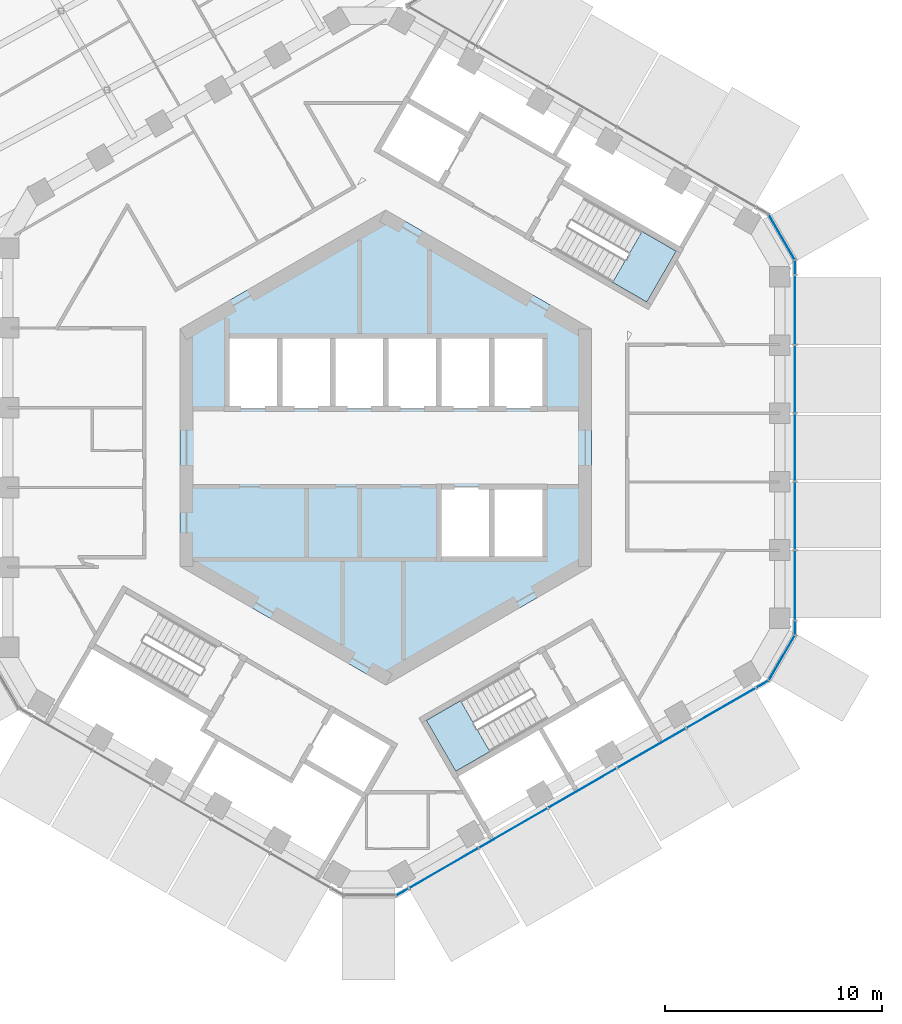
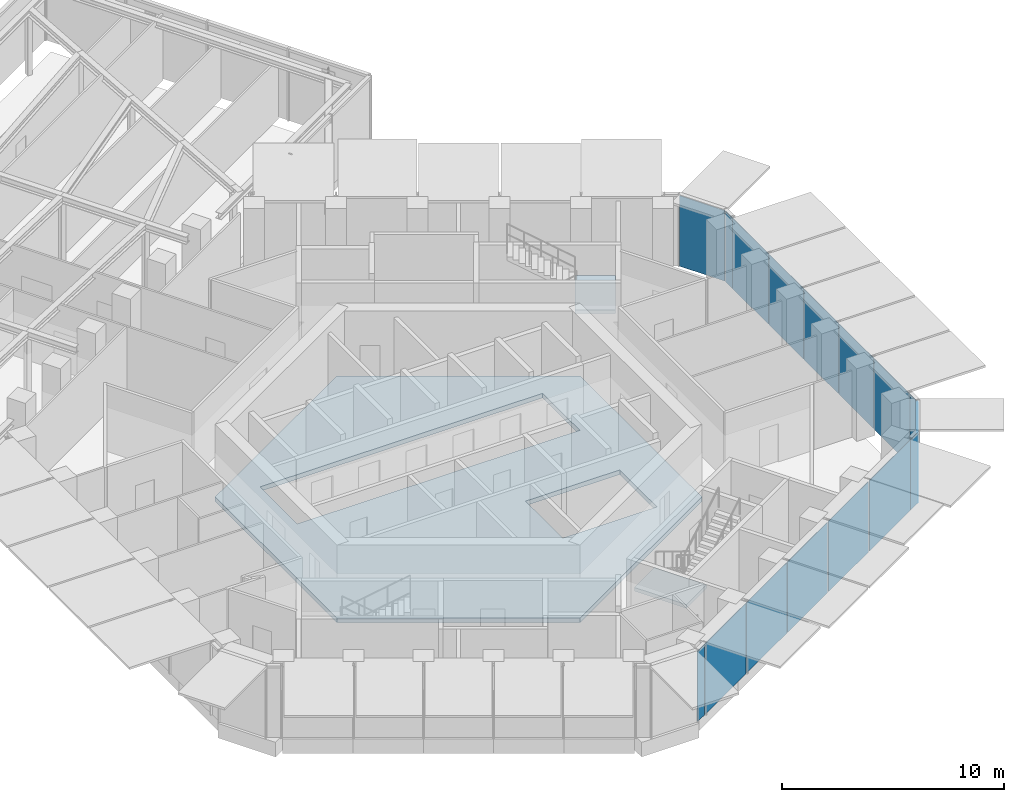
# One storey, part 15 of 27: 16 plates, 3 slabs, 7 elements without a shape of their own.
"""IFC4 building model written with IfcOpenShell, lengths in metres."""

from ifc_helpers import new_model, si_unit, direction, frame, origin, origin_2d, place, context, subcontext, project, spatial, polyline, rectangle, outline, extrude, material, layer, layer_set, type_object, element, aggregate, save


model = new_model("IFC4")

# Units and contexts
model_context = context("Model", 3, precision=1e-05, world=origin(), true_north=direction((0.0, 1.0)))
body_context = subcontext(model_context, "Body", "Model", "MODEL_VIEW")
ifc_project = project(units=[si_unit("LENGTHUNIT", "METRE"), si_unit("AREAUNIT", "SQUARE_METRE"), si_unit("VOLUMEUNIT", "CUBIC_METRE"), si_unit("PLANEANGLEUNIT", "RADIAN"), si_unit("MASSUNIT", "GRAM", prefix="KILO")], contexts=[model_context])

# Site, building, storey
site_placement = place(None, origin())
site = spatial("IfcSite", under=ifc_project, at=site_placement, CompositionType="ELEMENT")
building_placement = place(site_placement, origin())
building = spatial("IfcBuilding", under=site, at=building_placement, Name="Ayvan Gate Tower", CompositionType="ELEMENT")
storey_placement = place(building_placement, frame((0.0, 0.0, 194.699951171875)))
storey = spatial("IfcBuildingStorey", under=building, at=storey_placement, Name="L52", CompositionType="ELEMENT", Elevation=194.699951171875)

# Slab
ifc_material_1 = material(Name="Concrete C40/50", Category="concrete")
ifc_layer_1 = layer(ifc_material_1, 0.25)
ifc_layer_set_1 = layer_set([ifc_layer_1], Name="Concrete C40/50")
slab_type_1 = type_object("IfcSlabType", Name="SL-CORE-250", PredefinedType="FLOOR", material=ifc_layer_set_1)
slab_1_placement = place(storey_placement, frame((0.0, 0.0, -0.25)))
element("IfcSlab", 1, at=slab_1_placement, inside=storey, type_object=slab_type_1, Name="CS-L52", PredefinedType="FLOOR", context=body_context, shape_type="SweptSolid", body=[
    extrude(outline(polyline([(9.5, -5.48486328125), (0.0, -10.9697265625), (-9.5, -5.48486328125), (-9.5, 5.48486328125), (0.0, 10.9697265625), (9.5, 5.48486328125), (9.5, -5.48486328125)]), holes=[polyline([(-7.35009765625, 5.14990234375), (-7.35009765625, 1.800048828125), (7.35009765625, 1.800048828125), (7.35009765625, 5.14990234375), (-7.35009765625, 5.14990234375)]), polyline([(2.449951171875, -1.800048828125), (2.449951171875, -5.14990234375), (7.35009765625, -5.14990234375), (7.35009765625, -1.800048828125), (2.449951171875, -1.800048828125)])]), origin(), (0.0, 0.0, 1.0), 0.25),
])

# Stair, slab
stair_type = type_object("IfcStairType", Name="ST-EXIT", PredefinedType="HALF_TURN_STAIR", material=ifc_material_1)
stair_1_placement = place(storey_placement, origin())
stair_1 = element("IfcStair", 2, at=stair_1_placement, inside=storey, type_object=stair_type, Name="L52 Exit Stair S1", PredefinedType="HALF_TURN_STAIR")
ifc_layer_2 = layer(ifc_material_1, 0.199951171875)
ifc_layer_set_2 = layer_set([ifc_layer_2], Name="Concrete C40/50")
slab_type_2 = type_object("IfcSlabType", Name="SL-LANDING-200", PredefinedType="LANDING", material=ifc_layer_set_2)
slab_2_placement = place(storey_placement, frame((0.0, 0.0, 1.800048828125)))
slab_2 = element("IfcSlab", 3, at=slab_2_placement, type_object=slab_type_2, Name="STS1 landing 1", PredefinedType="LANDING", context=body_context, shape_type="SweptSolid", body=[
    extrude(outline(polyline([(10.473388671875, 7.630615234375), (12.049560546875, 6.720458984375), (13.404541015625, 9.0673828125), (11.828369140625, 9.9775390625), (10.473388671875, 7.630615234375)])), origin(), (0.0, 0.0, 1.0), 0.199951171875),
])
aggregate(stair_1, [slab_2])

stair_2_placement = place(storey_placement, origin())
stair_2 = element("IfcStair", 4, at=stair_2_placement, inside=storey, type_object=stair_type, Name="L52 Exit Stair S3", PredefinedType="HALF_TURN_STAIR")
slab_3_placement = place(storey_placement, frame((0.0, 0.0, 1.800048828125)))
slab_3 = element("IfcSlab", 5, at=slab_3_placement, type_object=slab_type_2, Name="STS3 landing 1", PredefinedType="LANDING", context=body_context, shape_type="SweptSolid", body=[
    extrude(outline(polyline([(3.449951171875, -11.685546875), (1.873779296875, -12.595458984375), (3.228759765625, -14.9423828125), (4.804931640625, -14.032470703125), (3.449951171875, -11.685546875)])), origin(), (0.0, 0.0, 1.0), 0.199951171875),
])
aggregate(stair_2, [slab_3])

# Curtain wall, plates
ifc_material_2 = material(Name="Bronze anodised aluminium", Category="aluminium")
ifc_layer_3 = layer(ifc_material_2, 0.199951171875)
ifc_layer_set_3 = layer_set([ifc_layer_3], Name="Bronze anodised aluminium")
curtain_wall_type_1 = type_object("IfcCurtainWallType", Name="Stick curtain wall CW-2", PredefinedType="NOTDEFINED", material=ifc_layer_set_3)
curtain_wall_1_placement = place(storey_placement, origin())
curtain_wall_1 = element("IfcCurtainWall", 6, at=curtain_wall_1_placement, inside=storey, type_object=curtain_wall_type_1, Name="Stick curtain wall CW-2 L52", PredefinedType="NOTDEFINED")
ifc_material_3 = material(Name="Clear low-iron laminated glass", Category="glass")
ifc_layer_4 = layer(ifc_material_3, 0.028076171875)
ifc_layer_set_4 = layer_set([ifc_layer_4], Name="Clear low-iron laminated glass")
plate_type_1 = type_object("IfcPlateType", Name="Stick curtain wall CW-2 glass panel", PredefinedType="CURTAIN_PANEL", material=ifc_layer_set_4)
plate_1_placement = place(storey_placement, frame((2.663818359375, -19.423828125, 0.0), z_axis=(0.0, 0.0, 1.0), x_axis=(0.866025403784, 0.5, 0.0)))
plate_1 = element("IfcPlate", 7, at=plate_1_placement, type_object=plate_type_1, Name="CW-2 glass panel 1", PredefinedType="CURTAIN_PANEL", context=body_context, shape_type="SweptSolid", body=[
    extrude(rectangle(XDim=3.68701171875, YDim=0.028076171875, at=origin_2d()), origin(), (0.0, 0.0, 1.0), 3.8798828125),
])
plate_2_placement = place(storey_placement, frame((5.885986328125, -17.5634765625, 0.0), z_axis=(0.0, 0.0, 1.0), x_axis=(0.866025403784, 0.5, 0.0)))
plate_2 = element("IfcPlate", 8, at=plate_2_placement, type_object=plate_type_1, Name="CW-2 glass panel 2", PredefinedType="CURTAIN_PANEL", context=body_context, shape_type="SweptSolid", body=[
    extrude(rectangle(XDim=3.614013671875, YDim=0.028076171875, at=origin_2d()), origin(), (0.0, 0.0, 1.0), 3.8798828125),
])
plate_3_placement = place(storey_placement, frame((9.076904296875, -15.72119140625, 0.0), z_axis=(0.0, 0.0, 1.0), x_axis=(0.866025403784, 0.5, 0.0)))
plate_3 = element("IfcPlate", 9, at=plate_3_placement, type_object=plate_type_1, Name="CW-2 glass panel 3", PredefinedType="CURTAIN_PANEL", context=body_context, shape_type="SweptSolid", body=[
    extrude(rectangle(XDim=3.614990234375, YDim=0.028076171875, at=origin_2d()), origin(), (0.0, 0.0, 1.0), 3.8798828125),
])
plate_4_placement = place(storey_placement, frame((12.267578125, -13.87890625, 0.0), z_axis=(0.0, 0.0, 1.0), x_axis=(0.866025403784, 0.5, 0.0)))
plate_4 = element("IfcPlate", 10, at=plate_4_placement, type_object=plate_type_1, Name="CW-2 glass panel 4", PredefinedType="CURTAIN_PANEL", context=body_context, shape_type="SweptSolid", body=[
    extrude(rectangle(XDim=3.614013671875, YDim=0.028076171875, at=origin_2d()), origin(), (0.0, 0.0, 1.0), 3.8798828125),
])
plate_5_placement = place(storey_placement, frame((15.48974609375, -12.018798828125, 0.0), z_axis=(0.0, 0.0, 1.0), x_axis=(0.866025403784, 0.5, 0.0)))
plate_5 = element("IfcPlate", 11, at=plate_5_placement, type_object=plate_type_1, Name="CW-2 glass panel 5", PredefinedType="CURTAIN_PANEL", context=body_context, shape_type="SweptSolid", body=[
    extrude(rectangle(XDim=3.686767578125, YDim=0.028076171875, at=origin_2d()), origin(), (0.0, 0.0, 1.0), 3.8798828125),
])
aggregate(curtain_wall_1, [plate_1, plate_2, plate_3, plate_4, plate_5])

curtain_wall_2_placement = place(storey_placement, origin())
curtain_wall_2 = element("IfcCurtainWall", 12, at=curtain_wall_2_placement, inside=storey, type_object=curtain_wall_type_1, Name="Stick curtain wall CW-2 L52", PredefinedType="NOTDEFINED")
plate_6_placement = place(storey_placement, frame((18.886474609375, -6.37109375, 0.0), z_axis=(0.0, 0.0, 1.0), x_axis=(0.0, 1.0, 0.0)))
plate_6 = element("IfcPlate", 13, at=plate_6_placement, type_object=plate_type_1, Name="CW-2 glass panel 1", PredefinedType="CURTAIN_PANEL", context=body_context, shape_type="SweptSolid", body=[
    extrude(rectangle(XDim=3.215087890625, YDim=0.028076171875, at=origin_2d()), origin(), (0.0, 0.0, 1.0), 3.8798828125),
])
plate_7_placement = place(storey_placement, frame((18.886474609375, -3.152587890625, 0.0), z_axis=(0.0, 0.0, 1.0), x_axis=(0.0, 1.0, 0.0)))
plate_7 = element("IfcPlate", 14, at=plate_7_placement, type_object=plate_type_1, Name="CW-2 glass panel 2", PredefinedType="CURTAIN_PANEL", context=body_context, shape_type="SweptSolid", body=[
    extrude(rectangle(XDim=3.08203125, YDim=0.028076171875, at=origin_2d()), origin(), (0.0, 0.0, 1.0), 3.8798828125),
])
plate_8_placement = place(storey_placement, frame((18.886474609375, 0.0, 0.0), z_axis=(0.0, 0.0, 1.0), x_axis=(0.0, 1.0, 0.0)))
plate_8 = element("IfcPlate", 15, at=plate_8_placement, type_object=plate_type_1, Name="CW-2 glass panel 3", PredefinedType="CURTAIN_PANEL", context=body_context, shape_type="SweptSolid", body=[
    extrude(rectangle(XDim=3.0830078125, YDim=0.028076171875, at=origin_2d()), origin(), (0.0, 0.0, 1.0), 3.8798828125),
])
plate_9_placement = place(storey_placement, frame((18.886474609375, 3.15234375, 0.0), z_axis=(0.0, 0.0, 1.0), x_axis=(0.0, 1.0, 0.0)))
plate_9 = element("IfcPlate", 16, at=plate_9_placement, type_object=plate_type_1, Name="CW-2 glass panel 4", PredefinedType="CURTAIN_PANEL", context=body_context, shape_type="SweptSolid", body=[
    extrude(rectangle(XDim=3.08203125, YDim=0.028076171875, at=origin_2d()), origin(), (0.0, 0.0, 1.0), 3.8798828125),
])
plate_10_placement = place(storey_placement, frame((18.886474609375, 6.37109375, 0.0), z_axis=(0.0, 0.0, 1.0), x_axis=(0.0, 1.0, 0.0)))
plate_10 = element("IfcPlate", 17, at=plate_10_placement, type_object=plate_type_1, Name="CW-2 glass panel 5", PredefinedType="CURTAIN_PANEL", context=body_context, shape_type="SweptSolid", body=[
    extrude(rectangle(XDim=3.215087890625, YDim=0.028076171875, at=origin_2d()), origin(), (0.0, 0.0, 1.0), 3.8798828125),
])
aggregate(curtain_wall_2, [plate_6, plate_7, plate_8, plate_9, plate_10])

# Curtain wall, plate
ifc_layer_5 = layer(ifc_material_2, 0.199951171875)
ifc_layer_set_5 = layer_set([ifc_layer_5], Name="Bronze anodised aluminium")
curtain_wall_type_2 = type_object("IfcCurtainWallType", Name="Stick curtain wall CW-6", PredefinedType="NOTDEFINED", material=ifc_layer_set_5)
curtain_wall_3_placement = place(storey_placement, origin())
curtain_wall_3 = element("IfcCurtainWall", 18, at=curtain_wall_3_placement, inside=storey, type_object=curtain_wall_type_2, Name="Stick curtain wall CW-6 L52", PredefinedType="NOTDEFINED")
ifc_layer_6 = layer(ifc_material_3, 0.028076171875)
ifc_layer_set_6 = layer_set([ifc_layer_6], Name="Clear low-iron laminated glass")
plate_type_2 = type_object("IfcPlateType", Name="Stick curtain wall CW-6 glass panel", PredefinedType="CURTAIN_PANEL", material=ifc_layer_set_6)
plate_11_placement = place(storey_placement, frame((0.766357421875, -20.519287109375, 0.0), z_axis=(0.0, 0.0, 1.0), x_axis=(0.866025403784, 0.5, 0.0)))
plate_11 = element("IfcPlate", 19, at=plate_11_placement, type_object=plate_type_2, Name="CW-6 glass panel 3", PredefinedType="CURTAIN_PANEL", context=body_context, shape_type="SweptSolid", body=[
    extrude(rectangle(XDim=0.625, YDim=0.028076171875, at=origin_2d()), origin(), (0.0, 0.0, 1.0), 3.8798828125),
])
aggregate(curtain_wall_3, [plate_11])

# Curtain wall, plates
curtain_wall_4_placement = place(storey_placement, origin())
curtain_wall_4 = element("IfcCurtainWall", 20, at=curtain_wall_4_placement, inside=storey, type_object=curtain_wall_type_2, Name="Stick curtain wall CW-6 L52", PredefinedType="NOTDEFINED")
plate_12_placement = place(storey_placement, frame((17.386962890625, -10.92333984375, 0.0), z_axis=(0.0, 0.0, 1.0), x_axis=(0.866025403784, 0.5, 0.0)))
plate_12 = element("IfcPlate", 21, at=plate_12_placement, type_object=plate_type_2, Name="CW-6 glass panel 1", PredefinedType="CURTAIN_PANEL", context=body_context, shape_type="SweptSolid", body=[
    extrude(rectangle(XDim=0.625, YDim=0.028076171875, at=origin_2d()), origin(), (0.0, 0.0, 1.0), 3.8798828125),
])
plate_13_placement = place(storey_placement, frame((18.282958984375, -9.709228515625, 0.0), z_axis=(0.0, 0.0, 1.0), x_axis=(0.5, 0.866025403784, 0.0)))
plate_13 = element("IfcPlate", 22, at=plate_13_placement, type_object=plate_type_2, Name="CW-6 glass panel 2", PredefinedType="CURTAIN_PANEL", context=body_context, shape_type="SweptSolid", body=[
    extrude(rectangle(XDim=2.364501953125, YDim=0.028076171875, at=origin_2d()), origin(), (0.0, 0.0, 1.0), 3.8798828125),
])
plate_14_placement = place(storey_placement, frame((18.886474609375, -8.326171875, 0.0), z_axis=(0.0, 0.0, 1.0), x_axis=(0.0, 1.0, 0.0)))
plate_14 = element("IfcPlate", 23, at=plate_14_placement, type_object=plate_type_2, Name="CW-6 glass panel 3", PredefinedType="CURTAIN_PANEL", context=body_context, shape_type="SweptSolid", body=[
    extrude(rectangle(XDim=0.625, YDim=0.028076171875, at=origin_2d()), origin(), (0.0, 0.0, 1.0), 3.8798828125),
])
aggregate(curtain_wall_4, [plate_12, plate_13, plate_14])

curtain_wall_5_placement = place(storey_placement, origin())
curtain_wall_5 = element("IfcCurtainWall", 24, at=curtain_wall_5_placement, inside=storey, type_object=curtain_wall_type_2, Name="Stick curtain wall CW-6 L52", PredefinedType="NOTDEFINED")
plate_15_placement = place(storey_placement, frame((18.886474609375, 8.326171875, 0.0), z_axis=(0.0, 0.0, 1.0), x_axis=(0.0, 1.0, 0.0)))
plate_15 = element("IfcPlate", 25, at=plate_15_placement, type_object=plate_type_2, Name="CW-6 glass panel 1", PredefinedType="CURTAIN_PANEL", context=body_context, shape_type="SweptSolid", body=[
    extrude(rectangle(XDim=0.625, YDim=0.028076171875, at=origin_2d()), origin(), (0.0, 0.0, 1.0), 3.8798828125),
])
plate_16_placement = place(storey_placement, frame((18.282958984375, 9.709228515625, 0.0), z_axis=(0.0, 0.0, 1.0), x_axis=(-0.5, 0.866025403784, 0.0)))
plate_16 = element("IfcPlate", 26, at=plate_16_placement, type_object=plate_type_2, Name="CW-6 glass panel 2", PredefinedType="CURTAIN_PANEL", context=body_context, shape_type="SweptSolid", body=[
    extrude(rectangle(XDim=2.364501953125, YDim=0.028076171875, at=origin_2d()), origin(), (0.0, 0.0, 1.0), 3.8798828125),
])
aggregate(curtain_wall_5, [plate_15, plate_16])

save(model, "model.ifc")
